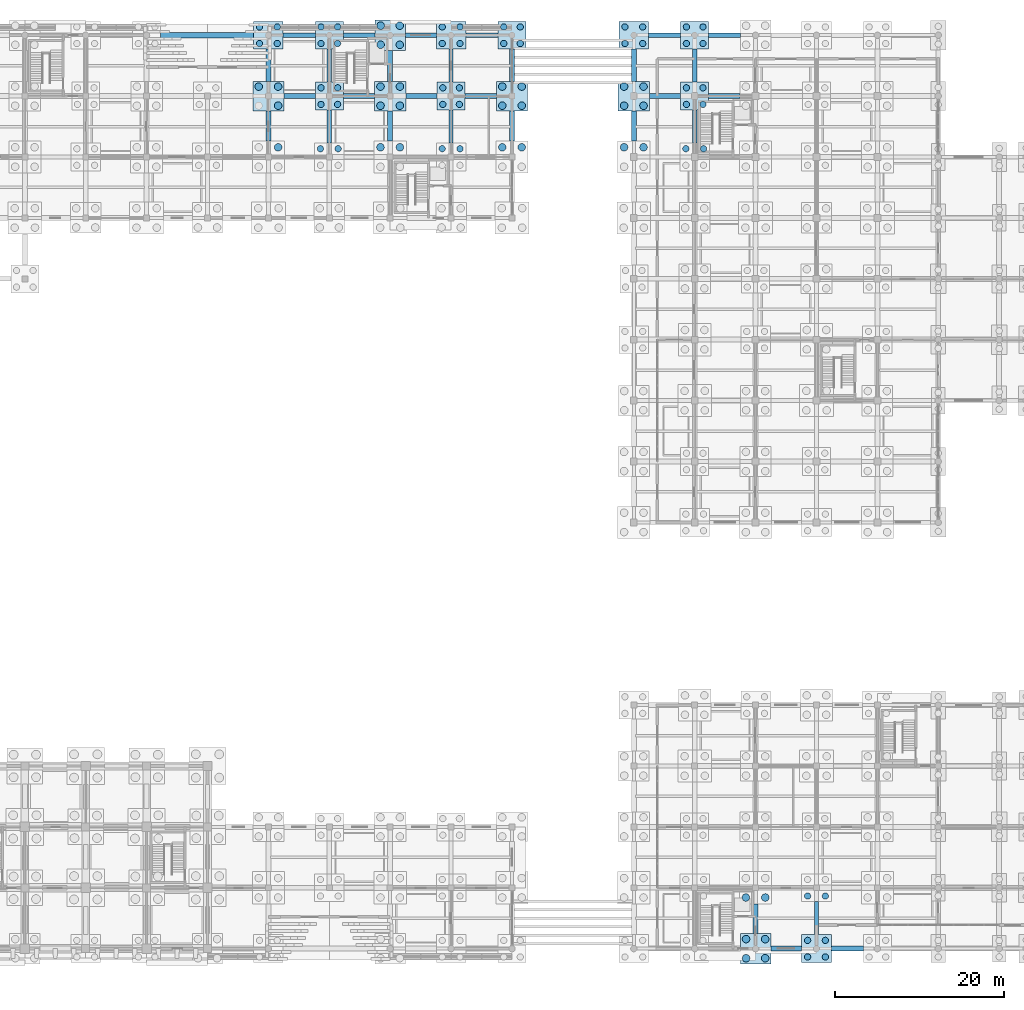
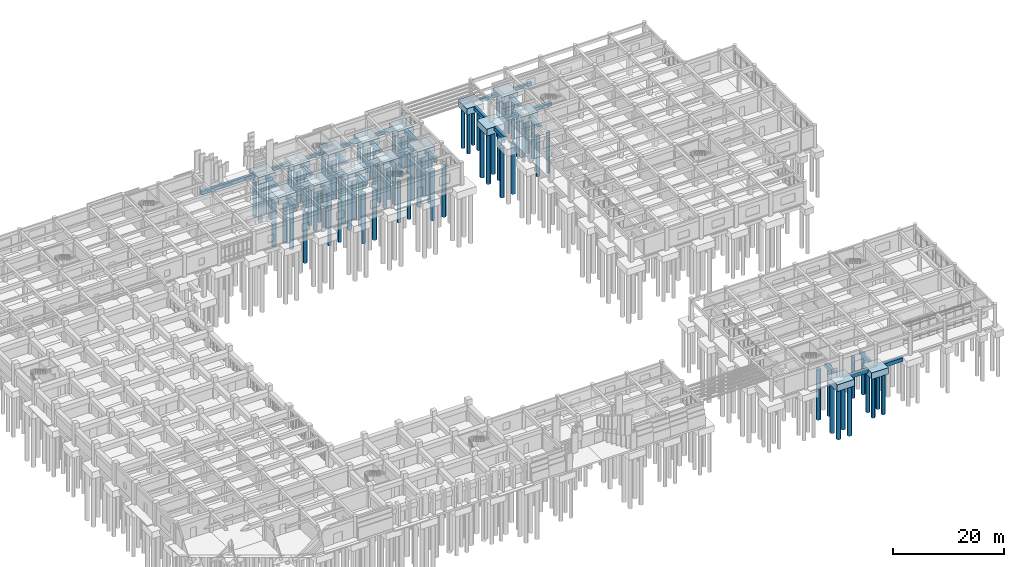
# One storey, part 11 of 79: 80 piles, 47 footings.
"""IFC4 building model written with IfcOpenShell, lengths in metres."""

from ifc_helpers import new_model, si_unit, direction, frame, origin, origin_2d, place, context, subcontext, project, spatial, polyline, rectangle, circle, outline, extrude, material, material_profile, profile_set, type_object, element, save


model = new_model("IFC4")

# Units and contexts
model_context = context("Model", 3, precision=1e-05, world=origin(), true_north=direction((0.0, 1.0)))
body_context = subcontext(model_context, "Body", "Model", "MODEL_VIEW")
ifc_project = project(units=[si_unit("LENGTHUNIT", "METRE"), si_unit("AREAUNIT", "SQUARE_METRE"), si_unit("VOLUMEUNIT", "CUBIC_METRE"), si_unit("PLANEANGLEUNIT", "RADIAN"), si_unit("MASSUNIT", "GRAM", prefix="KILO")], contexts=[model_context])

# Site, building, storey
site_placement = place(None, origin())
site = spatial("IfcSite", under=ifc_project, at=site_placement, CompositionType="ELEMENT")
building_placement = place(site_placement, origin())
building = spatial("IfcBuilding", under=site, at=building_placement, Name="Kavelor Marine Aquarium", CompositionType="ELEMENT")
storey_placement = place(building_placement, origin())
storey = spatial("IfcBuildingStorey", under=building, at=storey_placement, Name="L00", CompositionType="ELEMENT", Elevation=0.0)

# Footings
ifc_material_1 = material(Name="Concrete C40/50", Category="concrete")
footing_type_1 = type_object("IfcFootingType", Name="CAP-PC05", PredefinedType="PILE_CAP", material=ifc_material_1)
footing_1_placement = place(storey_placement, frame((0.0, 0.0, -1.85009765625)))
element("IfcFooting", 1, at=footing_1_placement, inside=storey, type_object=footing_type_1, Name="Pile Cap PC05 (11-O)", PredefinedType="PILE_CAP", context=body_context, shape_type="SweptSolid", body=[
    extrude(outline(polyline([(73.35009765625, 101.85009765625), (77.050048828125, 101.85009765625), (77.050048828125, 105.35009765625), (73.35009765625, 105.35009765625), (73.35009765625, 101.85009765625)])), origin(), (0.0, 0.0, 1.0), 1.5),
])
footing_2_placement = place(storey_placement, frame((0.0, 0.0, -1.85009765625)))
element("IfcFooting", 2, at=footing_2_placement, inside=storey, type_object=footing_type_1, Name="Pile Cap PC05 (13-O)", PredefinedType="PILE_CAP", context=body_context, shape_type="SweptSolid", body=[
    extrude(outline(polyline([(87.75, 101.85009765625), (91.449951171875, 101.85009765625), (91.449951171875, 105.35009765625), (87.75, 105.35009765625), (87.75, 101.85009765625)])), origin(), (0.0, 0.0, 1.0), 1.5),
])
footing_3_placement = place(storey_placement, frame((0.0, 0.0, -1.85009765625)))
element("IfcFooting", 3, at=footing_3_placement, inside=storey, type_object=footing_type_1, Name="Pile Cap PC05 (15-O)", PredefinedType="PILE_CAP", context=body_context, shape_type="SweptSolid", body=[
    extrude(outline(polyline([(102.14990234375, 101.85009765625), (105.85009765625, 101.85009765625), (105.85009765625, 105.35009765625), (102.14990234375, 105.35009765625), (102.14990234375, 101.85009765625)])), origin(), (0.0, 0.0, 1.0), 1.5),
])
footing_4_placement = place(storey_placement, frame((0.0, 0.0, -1.85009765625)))
element("IfcFooting", 4, at=footing_4_placement, inside=storey, type_object=footing_type_1, Name="Pile Cap PC05 (17-O)", PredefinedType="PILE_CAP", context=body_context, shape_type="SweptSolid", body=[
    extrude(outline(polyline([(116.550048828125, 101.85009765625), (120.25, 101.85009765625), (120.25, 105.35009765625), (116.550048828125, 105.35009765625), (116.550048828125, 101.85009765625)])), origin(), (0.0, 0.0, 1.0), 1.5),
])
ifc_material_2 = material(Name="Concrete C40/50", Category="concrete")
footing_type_2 = type_object("IfcFootingType", Name="CAP-PC06", PredefinedType="PILE_CAP", material=ifc_material_2)
footing_5_placement = place(storey_placement, frame((0.0, 0.0, -1.800048828125)))
element("IfcFooting", 5, at=footing_5_placement, inside=storey, type_object=footing_type_2, Name="Pile Cap PC06 (13-P)", PredefinedType="PILE_CAP", context=body_context, shape_type="SweptSolid", body=[
    extrude(outline(polyline([(87.800048828125, 109.0), (91.39990234375, 109.0), (91.39990234375, 112.60009765625), (87.800048828125, 112.60009765625), (87.800048828125, 109.0)])), origin(), (0.0, 0.0, 1.0), 1.449951171875),
])
footing_6_placement = place(storey_placement, frame((0.0, 0.0, -1.800048828125)))
element("IfcFooting", 6, at=footing_6_placement, inside=storey, type_object=footing_type_2, Name="Pile Cap PC06 (19-A)", PredefinedType="PILE_CAP", context=body_context, shape_type="SweptSolid", body=[
    extrude(outline(polyline([(131.0, 1.0), (134.60009765625, 1.0), (134.60009765625, 4.60009765625), (131.0, 4.60009765625), (131.0, 1.0)])), origin(), (0.0, 0.0, 1.0), 1.449951171875),
])
ifc_material_3 = material(Name="Concrete C40/50", Category="concrete")
footing_type_3 = type_object("IfcFootingType", Name="CAP-PC07", PredefinedType="PILE_CAP", material=ifc_material_3)
footing_7_placement = place(storey_placement, frame((0.0, 0.0, -1.75)))
element("IfcFooting", 7, at=footing_7_placement, inside=storey, type_object=footing_type_3, Name="Pile Cap PC07 (11-P)", PredefinedType="PILE_CAP", context=body_context, shape_type="SweptSolid", body=[
    extrude(outline(polyline([(73.449951171875, 109.14990234375), (76.949951171875, 109.14990234375), (76.949951171875, 112.449951171875), (73.449951171875, 112.449951171875), (73.449951171875, 109.14990234375)])), origin(), (0.0, 0.0, 1.0), 1.39990234375),
])
footing_8_placement = place(storey_placement, frame((0.0, 0.0, -1.75)))
element("IfcFooting", 8, at=footing_8_placement, inside=storey, type_object=footing_type_3, Name="Pile Cap PC07 (14-P)", PredefinedType="PILE_CAP", context=body_context, shape_type="SweptSolid", body=[
    extrude(outline(polyline([(95.050048828125, 109.14990234375), (98.550048828125, 109.14990234375), (98.550048828125, 112.449951171875), (95.050048828125, 112.449951171875), (95.050048828125, 109.14990234375)])), origin(), (0.0, 0.0, 1.0), 1.39990234375),
])
footing_9_placement = place(storey_placement, frame((0.0, 0.0, -1.75)))
element("IfcFooting", 9, at=footing_9_placement, inside=storey, type_object=footing_type_3, Name="Pile Cap PC07 (17-P)", PredefinedType="PILE_CAP", context=body_context, shape_type="SweptSolid", body=[
    extrude(outline(polyline([(116.64990234375, 109.14990234375), (120.14990234375, 109.14990234375), (120.14990234375, 112.449951171875), (116.64990234375, 112.449951171875), (116.64990234375, 109.14990234375)])), origin(), (0.0, 0.0, 1.0), 1.39990234375),
])
footing_10_placement = place(storey_placement, frame((0.0, 0.0, -1.75)))
element("IfcFooting", 10, at=footing_10_placement, inside=storey, type_object=footing_type_3, Name="Pile Cap PC07 (20-A)", PredefinedType="PILE_CAP", context=body_context, shape_type="SweptSolid", body=[
    extrude(outline(polyline([(138.25, 1.14990234375), (141.75, 1.14990234375), (141.75, 4.449951171875), (138.25, 4.449951171875), (138.25, 1.14990234375)])), origin(), (0.0, 0.0, 1.0), 1.39990234375),
])
ifc_material_4 = material(Name="Concrete C40/50", Category="concrete")
footing_type_4 = type_object("IfcFootingType", Name="CAP-PC08", PredefinedType="PILE_CAP", material=ifc_material_4)
footing_11_placement = place(storey_placement, frame((0.0, 0.0, -1.75)))
element("IfcFooting", 11, at=footing_11_placement, inside=storey, type_object=footing_type_4, Name="Pile Cap PC08 (12-O)", PredefinedType="PILE_CAP", context=body_context, shape_type="SweptSolid", body=[
    extrude(outline(polyline([(80.75, 101.949951171875), (84.050048828125, 101.949951171875), (84.050048828125, 105.25), (80.75, 105.25), (80.75, 101.949951171875)])), origin(), (0.0, 0.0, 1.0), 1.39990234375),
])
footing_12_placement = place(storey_placement, frame((0.0, 0.0, -1.75)))
element("IfcFooting", 12, at=footing_12_placement, inside=storey, type_object=footing_type_4, Name="Pile Cap PC08 (12-P)", PredefinedType="PILE_CAP", context=body_context, shape_type="SweptSolid", body=[
    extrude(outline(polyline([(80.75, 109.14990234375), (84.050048828125, 109.14990234375), (84.050048828125, 112.449951171875), (80.75, 112.449951171875), (80.75, 109.14990234375)])), origin(), (0.0, 0.0, 1.0), 1.39990234375),
])
footing_13_placement = place(storey_placement, frame((0.0, 0.0, -1.75)))
element("IfcFooting", 13, at=footing_13_placement, inside=storey, type_object=footing_type_4, Name="Pile Cap PC08 (14-O)", PredefinedType="PILE_CAP", context=body_context, shape_type="SweptSolid", body=[
    extrude(outline(polyline([(95.14990234375, 101.949951171875), (98.449951171875, 101.949951171875), (98.449951171875, 105.25), (95.14990234375, 105.25), (95.14990234375, 101.949951171875)])), origin(), (0.0, 0.0, 1.0), 1.39990234375),
])
footing_14_placement = place(storey_placement, frame((0.0, 0.0, -1.75)))
element("IfcFooting", 14, at=footing_14_placement, inside=storey, type_object=footing_type_4, Name="Pile Cap PC08 (15-P)", PredefinedType="PILE_CAP", context=body_context, shape_type="SweptSolid", body=[
    extrude(outline(polyline([(102.35009765625, 109.14990234375), (105.64990234375, 109.14990234375), (105.64990234375, 112.449951171875), (102.35009765625, 112.449951171875), (102.35009765625, 109.14990234375)])), origin(), (0.0, 0.0, 1.0), 1.39990234375),
])
footing_15_placement = place(storey_placement, frame((0.0, 0.0, -1.75)))
element("IfcFooting", 15, at=footing_15_placement, inside=storey, type_object=footing_type_4, Name="Pile Cap PC08 (18-O)", PredefinedType="PILE_CAP", context=body_context, shape_type="SweptSolid", body=[
    extrude(outline(polyline([(123.949951171875, 101.949951171875), (127.25, 101.949951171875), (127.25, 105.25), (123.949951171875, 105.25), (123.949951171875, 101.949951171875)])), origin(), (0.0, 0.0, 1.0), 1.39990234375),
])
footing_16_placement = place(storey_placement, frame((0.0, 0.0, -1.75)))
element("IfcFooting", 16, at=footing_16_placement, inside=storey, type_object=footing_type_4, Name="Pile Cap PC08 (18-P)", PredefinedType="PILE_CAP", context=body_context, shape_type="SweptSolid", body=[
    extrude(outline(polyline([(123.949951171875, 109.14990234375), (127.25, 109.14990234375), (127.25, 112.449951171875), (123.949951171875, 112.449951171875), (123.949951171875, 109.14990234375)])), origin(), (0.0, 0.0, 1.0), 1.39990234375),
])
ifc_material_5 = material(Name="Concrete C40/50", Category="concrete")
ifc_material_profile_1 = material_profile(ifc_material_5, rectangle(XDim=0.60009765625, YDim=0.800048828125, at=origin_2d()), Name="GB 600x800")
ifc_profile_set_1 = profile_set([ifc_material_profile_1], Name="Concrete C40/50")
footing_type_5 = type_object("IfcFootingType", Name="FTB-GB1", PredefinedType="FOOTING_BEAM", material=ifc_profile_set_1)
footing_17_placement = place(storey_placement, frame((62.449951171875, 110.800048828125, -0.75), z_axis=(1.0, 0.0, 0.0), x_axis=(0.0, 1.0, 0.0)))
element("IfcFooting", 17, at=footing_17_placement, inside=storey, type_object=footing_type_5, Name="ftb:x:08_15", PredefinedType="FOOTING_BEAM", context=body_context, shape_type="SweptSolid", body=[
    extrude(rectangle(XDim=0.60009765625, YDim=0.800048828125, at=origin_2d()), origin(), (0.0, 0.0, 1.0), 11.0),
])
footing_18_placement = place(storey_placement, frame((75.199951171875, 98.300048828125, -0.75), z_axis=(0.0, 1.0, 0.0), x_axis=(-1.0, 0.0, 0.0)))
element("IfcFooting", 18, at=footing_18_placement, inside=storey, type_object=footing_type_5, Name="ftb:y:10_13", PredefinedType="FOOTING_BEAM", context=body_context, shape_type="SweptSolid", body=[
    extrude(rectangle(XDim=0.60009765625, YDim=0.800048828125, at=origin_2d()), origin(), (0.0, 0.0, 1.0), 3.550048828125),
])
footing_19_placement = place(storey_placement, frame((77.050048828125, 103.60009765625, -0.75), z_axis=(1.0, 0.0, 0.0), x_axis=(0.0, 1.0, 0.0)))
element("IfcFooting", 19, at=footing_19_placement, inside=storey, type_object=footing_type_5, Name="ftb:x:10_14", PredefinedType="FOOTING_BEAM", context=body_context, shape_type="SweptSolid", body=[
    extrude(rectangle(XDim=0.60009765625, YDim=0.800048828125, at=origin_2d()), origin(), (0.0, 0.0, 1.0), 3.699951171875),
])
footing_20_placement = place(storey_placement, frame((75.199951171875, 105.35009765625, -0.75), z_axis=(0.0, 1.0, 0.0), x_axis=(-1.0, 0.0, 0.0)))
element("IfcFooting", 20, at=footing_20_placement, inside=storey, type_object=footing_type_5, Name="ftb:y:10_14", PredefinedType="FOOTING_BEAM", context=body_context, shape_type="SweptSolid", body=[
    extrude(rectangle(XDim=0.60009765625, YDim=0.800048828125, at=origin_2d()), origin(), (0.0, 0.0, 1.0), 3.7998046875),
])
footing_21_placement = place(storey_placement, frame((84.050048828125, 103.60009765625, -0.75), z_axis=(1.0, 0.0, 0.0), x_axis=(0.0, 1.0, 0.0)))
element("IfcFooting", 21, at=footing_21_placement, inside=storey, type_object=footing_type_5, Name="ftb:x:11_14", PredefinedType="FOOTING_BEAM", context=body_context, shape_type="SweptSolid", body=[
    extrude(rectangle(XDim=0.60009765625, YDim=0.800048828125, at=origin_2d()), origin(), (0.0, 0.0, 1.0), 3.699951171875),
])
footing_22_placement = place(storey_placement, frame((89.60009765625, 98.300048828125, -0.75), z_axis=(0.0, 1.0, 0.0), x_axis=(-1.0, 0.0, 0.0)))
element("IfcFooting", 22, at=footing_22_placement, inside=storey, type_object=footing_type_5, Name="ftb:y:12_13", PredefinedType="FOOTING_BEAM", context=body_context, shape_type="SweptSolid", body=[
    extrude(rectangle(XDim=0.60009765625, YDim=0.800048828125, at=origin_2d()), origin(), (0.0, 0.0, 1.0), 3.550048828125),
])
footing_23_placement = place(storey_placement, frame((91.449951171875, 103.60009765625, -0.75), z_axis=(1.0, 0.0, 0.0), x_axis=(0.0, 1.0, 0.0)))
element("IfcFooting", 23, at=footing_23_placement, inside=storey, type_object=footing_type_5, Name="ftb:x:12_14", PredefinedType="FOOTING_BEAM", context=body_context, shape_type="SweptSolid", body=[
    extrude(rectangle(XDim=0.60009765625, YDim=0.800048828125, at=origin_2d()), origin(), (0.0, 0.0, 1.0), 3.699951171875),
])
footing_24_placement = place(storey_placement, frame((89.60009765625, 105.35009765625, -0.75), z_axis=(0.0, 1.0, 0.0), x_axis=(-1.0, 0.0, 0.0)))
element("IfcFooting", 24, at=footing_24_placement, inside=storey, type_object=footing_type_5, Name="ftb:y:12_14", PredefinedType="FOOTING_BEAM", context=body_context, shape_type="SweptSolid", body=[
    extrude(rectangle(XDim=0.60009765625, YDim=0.800048828125, at=origin_2d()), origin(), (0.0, 0.0, 1.0), 3.64990234375),
])
footing_25_placement = place(storey_placement, frame((98.449951171875, 103.60009765625, -0.75), z_axis=(1.0, 0.0, 0.0), x_axis=(0.0, 1.0, 0.0)))
element("IfcFooting", 25, at=footing_25_placement, inside=storey, type_object=footing_type_5, Name="ftb:x:13_14", PredefinedType="FOOTING_BEAM", context=body_context, shape_type="SweptSolid", body=[
    extrude(rectangle(XDim=0.60009765625, YDim=0.800048828125, at=origin_2d()), origin(), (0.0, 0.0, 1.0), 3.699951171875),
])
footing_26_placement = place(storey_placement, frame((104.0, 98.300048828125, -0.75), z_axis=(0.0, 1.0, 0.0), x_axis=(-1.0, 0.0, 0.0)))
element("IfcFooting", 26, at=footing_26_placement, inside=storey, type_object=footing_type_5, Name="ftb:y:14_13", PredefinedType="FOOTING_BEAM", context=body_context, shape_type="SweptSolid", body=[
    extrude(rectangle(XDim=0.60009765625, YDim=0.800048828125, at=origin_2d()), origin(), (0.0, 0.0, 1.0), 3.550048828125),
])
footing_27_placement = place(storey_placement, frame((104.0, 105.35009765625, -0.75), z_axis=(0.0, 1.0, 0.0), x_axis=(-1.0, 0.0, 0.0)))
element("IfcFooting", 27, at=footing_27_placement, inside=storey, type_object=footing_type_5, Name="ftb:y:14_14", PredefinedType="FOOTING_BEAM", context=body_context, shape_type="SweptSolid", body=[
    extrude(rectangle(XDim=0.60009765625, YDim=0.800048828125, at=origin_2d()), origin(), (0.0, 0.0, 1.0), 3.7998046875),
])
footing_28_placement = place(storey_placement, frame((118.39990234375, 98.300048828125, -0.75), z_axis=(0.0, 1.0, 0.0), x_axis=(-1.0, 0.0, 0.0)))
element("IfcFooting", 28, at=footing_28_placement, inside=storey, type_object=footing_type_5, Name="ftb:y:16_13", PredefinedType="FOOTING_BEAM", context=body_context, shape_type="SweptSolid", body=[
    extrude(rectangle(XDim=0.60009765625, YDim=0.800048828125, at=origin_2d()), origin(), (0.0, 0.0, 1.0), 3.550048828125),
])
footing_29_placement = place(storey_placement, frame((120.25, 103.60009765625, -0.75), z_axis=(1.0, 0.0, 0.0), x_axis=(0.0, 1.0, 0.0)))
element("IfcFooting", 29, at=footing_29_placement, inside=storey, type_object=footing_type_5, Name="ftb:x:16_14", PredefinedType="FOOTING_BEAM", context=body_context, shape_type="SweptSolid", body=[
    extrude(rectangle(XDim=0.60009765625, YDim=0.800048828125, at=origin_2d()), origin(), (0.0, 0.0, 1.0), 3.699951171875),
])
footing_30_placement = place(storey_placement, frame((118.39990234375, 105.35009765625, -0.75), z_axis=(0.0, 1.0, 0.0), x_axis=(-1.0, 0.0, 0.0)))
element("IfcFooting", 30, at=footing_30_placement, inside=storey, type_object=footing_type_5, Name="ftb:y:16_14", PredefinedType="FOOTING_BEAM", context=body_context, shape_type="SweptSolid", body=[
    extrude(rectangle(XDim=0.60009765625, YDim=0.800048828125, at=origin_2d()), origin(), (0.0, 0.0, 1.0), 3.7998046875),
])
footing_31_placement = place(storey_placement, frame((127.25, 103.60009765625, -0.75), z_axis=(1.0, 0.0, 0.0), x_axis=(0.0, 1.0, 0.0)))
element("IfcFooting", 31, at=footing_31_placement, inside=storey, type_object=footing_type_5, Name="ftb:x:17_14", PredefinedType="FOOTING_BEAM", context=body_context, shape_type="SweptSolid", body=[
    extrude(rectangle(XDim=0.60009765625, YDim=0.800048828125, at=origin_2d()), origin(), (0.0, 0.0, 1.0), 3.699951171875),
])
footing_32_placement = place(storey_placement, frame((134.60009765625, 2.800048828125, -0.75), z_axis=(1.0, 0.0, 0.0), x_axis=(0.0, 1.0, 0.0)))
element("IfcFooting", 32, at=footing_32_placement, inside=storey, type_object=footing_type_5, Name="ftb:x:18_00", PredefinedType="FOOTING_BEAM", context=body_context, shape_type="SweptSolid", body=[
    extrude(rectangle(XDim=0.60009765625, YDim=0.800048828125, at=origin_2d()), origin(), (0.0, 0.0, 1.0), 3.64990234375),
])
footing_33_placement = place(storey_placement, frame((132.800048828125, 4.60009765625, -0.75), z_axis=(0.0, 1.0, 0.0), x_axis=(-1.0, 0.0, 0.0)))
element("IfcFooting", 33, at=footing_33_placement, inside=storey, type_object=footing_type_5, Name="ftb:y:18_00", PredefinedType="FOOTING_BEAM", context=body_context, shape_type="SweptSolid", body=[
    extrude(rectangle(XDim=0.60009765625, YDim=0.800048828125, at=origin_2d()), origin(), (0.0, 0.0, 1.0), 3.5),
])
footing_34_placement = place(storey_placement, frame((141.75, 2.800048828125, -0.75), z_axis=(1.0, 0.0, 0.0), x_axis=(0.0, 1.0, 0.0)))
element("IfcFooting", 34, at=footing_34_placement, inside=storey, type_object=footing_type_5, Name="ftb:x:19_00", PredefinedType="FOOTING_BEAM", context=body_context, shape_type="SweptSolid", body=[
    extrude(rectangle(XDim=0.60009765625, YDim=0.800048828125, at=origin_2d()), origin(), (0.0, 0.0, 1.0), 3.800048828125),
])
ifc_material_6 = material(Name="Concrete C40/50", Category="concrete")
ifc_material_profile_2 = material_profile(ifc_material_6, rectangle(XDim=0.5, YDim=0.699951171875, at=origin_2d()), Name="GB 500x700")
ifc_profile_set_2 = profile_set([ifc_material_profile_2], Name="Concrete C40/50")
footing_type_6 = type_object("IfcFootingType", Name="FTB-GB2", PredefinedType="FOOTING_BEAM", material=ifc_profile_set_2)
footing_35_placement = place(storey_placement, frame((76.949951171875, 110.800048828125, -0.699951171875), z_axis=(1.0, 0.0, 0.0), x_axis=(0.0, 1.0, 0.0)))
element("IfcFooting", 35, at=footing_35_placement, inside=storey, type_object=footing_type_6, Name="ftb:x:10_15", PredefinedType="FOOTING_BEAM", context=body_context, shape_type="SweptSolid", body=[
    extrude(rectangle(XDim=0.5, YDim=0.699951171875, at=origin_2d()), origin(), (0.0, 0.0, 1.0), 3.800048828125),
])
for number, where, z_axis, x_axis, name in (
    (36, (82.39990234375, 98.050048828125, -0.699951171875), (0.0, 1.0, 0.0), (-1.0, 0.0, 0.0), "ftb:y:11_13"),
    (37, (82.39990234375, 105.25, -0.699951171875), (0.0, 1.0, 0.0), (-1.0, 0.0, 0.0), "ftb:y:11_14"),
):
    element("IfcFooting", number, at=place(storey_placement, frame(where, z_axis=z_axis, x_axis=x_axis)), inside=storey, type_object=footing_type_6, Name=name, PredefinedType="FOOTING_BEAM", context=body_context, shape_type="SweptSolid", body=[
        extrude(rectangle(XDim=0.5, YDim=0.699951171875, at=origin_2d()), origin(), (0.0, 0.0, 1.0), 3.89990234375),
    ])
footing_36_placement = place(storey_placement, frame((84.050048828125, 110.800048828125, -0.699951171875), z_axis=(1.0, 0.0, 0.0), x_axis=(0.0, 1.0, 0.0)))
element("IfcFooting", 38, at=footing_36_placement, inside=storey, type_object=footing_type_6, Name="ftb:x:11_15", PredefinedType="FOOTING_BEAM", context=body_context, shape_type="SweptSolid", body=[
    extrude(rectangle(XDim=0.5, YDim=0.699951171875, at=origin_2d()), origin(), (0.0, 0.0, 1.0), 3.75),
])
footing_37_placement = place(storey_placement, frame((91.39990234375, 110.800048828125, -0.699951171875), z_axis=(1.0, 0.0, 0.0), x_axis=(0.0, 1.0, 0.0)))
element("IfcFooting", 39, at=footing_37_placement, inside=storey, type_object=footing_type_6, Name="ftb:x:12_15", PredefinedType="FOOTING_BEAM", context=body_context, shape_type="SweptSolid", body=[
    extrude(rectangle(XDim=0.5, YDim=0.699951171875, at=origin_2d()), origin(), (0.0, 0.0, 1.0), 3.650146484375),
])
for number, where, z_axis, x_axis, name in (
    (40, (96.800048828125, 98.050048828125, -0.699951171875), (0.0, 1.0, 0.0), (-1.0, 0.0, 0.0), "ftb:y:13_13"),
    (41, (96.800048828125, 105.25, -0.699951171875), (0.0, 1.0, 0.0), (-1.0, 0.0, 0.0), "ftb:y:13_14"),
):
    element("IfcFooting", number, at=place(storey_placement, frame(where, z_axis=z_axis, x_axis=x_axis)), inside=storey, type_object=footing_type_6, Name=name, PredefinedType="FOOTING_BEAM", context=body_context, shape_type="SweptSolid", body=[
        extrude(rectangle(XDim=0.5, YDim=0.699951171875, at=origin_2d()), origin(), (0.0, 0.0, 1.0), 3.89990234375),
    ])
for number, where, z_axis, x_axis, name in (
    (42, (98.550048828125, 110.800048828125, -0.699951171875), (1.0, 0.0, 0.0), (0.0, 1.0, 0.0), "ftb:x:13_15"),
    (43, (120.14990234375, 110.800048828125, -0.699951171875), (1.0, 0.0, 0.0), (0.0, 1.0, 0.0), "ftb:x:16_15"),
):
    element("IfcFooting", number, at=place(storey_placement, frame(where, z_axis=z_axis, x_axis=x_axis)), inside=storey, type_object=footing_type_6, Name=name, PredefinedType="FOOTING_BEAM", context=body_context, shape_type="SweptSolid", body=[
        extrude(rectangle(XDim=0.5, YDim=0.699951171875, at=origin_2d()), origin(), (0.0, 0.0, 1.0), 3.800048828125),
    ])
for number, where, z_axis, x_axis, name in (
    (44, (125.60009765625, 98.050048828125, -0.699951171875), (0.0, 1.0, 0.0), (-1.0, 0.0, 0.0), "ftb:y:17_13"),
    (45, (125.60009765625, 105.25, -0.699951171875), (0.0, 1.0, 0.0), (-1.0, 0.0, 0.0), "ftb:y:17_14"),
):
    element("IfcFooting", number, at=place(storey_placement, frame(where, z_axis=z_axis, x_axis=x_axis)), inside=storey, type_object=footing_type_6, Name=name, PredefinedType="FOOTING_BEAM", context=body_context, shape_type="SweptSolid", body=[
        extrude(rectangle(XDim=0.5, YDim=0.699951171875, at=origin_2d()), origin(), (0.0, 0.0, 1.0), 3.89990234375),
    ])
footing_38_placement = place(storey_placement, frame((127.25, 110.800048828125, -0.699951171875), z_axis=(1.0, 0.0, 0.0), x_axis=(0.0, 1.0, 0.0)))
element("IfcFooting", 46, at=footing_38_placement, inside=storey, type_object=footing_type_6, Name="ftb:x:17_15", PredefinedType="FOOTING_BEAM", context=body_context, shape_type="SweptSolid", body=[
    extrude(rectangle(XDim=0.5, YDim=0.699951171875, at=origin_2d()), origin(), (0.0, 0.0, 1.0), 3.75),
])
footing_39_placement = place(storey_placement, frame((140.0, 4.449951171875, -0.699951171875), z_axis=(0.0, 1.0, 0.0), x_axis=(-1.0, 0.0, 0.0)))
element("IfcFooting", 47, at=footing_39_placement, inside=storey, type_object=footing_type_6, Name="ftb:y:19_00", PredefinedType="FOOTING_BEAM", context=body_context, shape_type="SweptSolid", body=[
    extrude(rectangle(XDim=0.5, YDim=0.699951171875, at=origin_2d()), origin(), (0.0, 0.0, 1.0), 3.900146484375),
])

# Piles
ifc_material_7 = material(Name="Concrete C40/50", Category="concrete")
ifc_material_profile_3 = material_profile(ifc_material_7, circle(Radius=0.449951171875, at=origin_2d()), Name="PILE D900")
ifc_profile_set_3 = profile_set([ifc_material_profile_3], Name="Concrete C40/50")
pile_type_1 = type_object("IfcPileType", Name="PILE-P2", PredefinedType="BORED", material=ifc_profile_set_3)
for number, where, z_axis, x_axis, name in (
    (48, (76.35009765625, 97.550048828125, -1.75), (0.0, 0.0, -1.0), (1.0, 0.0, 0.0), "Bored Pile P2 (11-N-4)"),
    (49, (76.35009765625, 102.469970703125, -1.75), (0.0, 0.0, -1.0), (1.0, 0.0, 0.0), "Bored Pile P2 (11-O-2)"),
    (50, (74.050048828125, 104.72998046875, -1.75), (0.0, 0.0, -1.0), (1.0, 0.0, 0.0), "Bored Pile P2 (11-O-3)"),
    (51, (76.35009765625, 104.72998046875, -1.75), (0.0, 0.0, -1.0), (1.0, 0.0, 0.0), "Bored Pile P2 (11-O-4)"),
    (52, (88.449951171875, 97.550048828125, -1.75), (0.0, 0.0, -1.0), (1.0, 0.0, 0.0), "Bored Pile P2 (13-N-3)"),
    (53, (90.75, 97.550048828125, -1.75), (0.0, 0.0, -1.0), (1.0, 0.0, 0.0), "Bored Pile P2 (13-N-4)"),
    (54, (88.449951171875, 102.469970703125, -1.75), (0.0, 0.0, -1.0), (1.0, 0.0, 0.0), "Bored Pile P2 (13-O-1)"),
    (55, (90.75, 102.469970703125, -1.75), (0.0, 0.0, -1.0), (1.0, 0.0, 0.0), "Bored Pile P2 (13-O-2)"),
    (56, (88.449951171875, 104.72998046875, -1.75), (0.0, 0.0, -1.0), (1.0, 0.0, 0.0), "Bored Pile P2 (13-O-3)"),
    (57, (90.75, 104.72998046875, -1.75), (0.0, 0.0, -1.0), (1.0, 0.0, 0.0), "Bored Pile P2 (13-O-4)"),
    (58, (88.469970703125, 109.669921875, -1.699951171875), (0.0, 0.0, -1.0), (1.0, 0.0, 0.0), "Bored Pile P2 (13-P-1)"),
    (59, (90.72998046875, 109.669921875, -1.699951171875), (0.0, 0.0, -1.0), (1.0, 0.0, 0.0), "Bored Pile P2 (13-P-2)"),
    (60, (88.469970703125, 111.929931640625, -1.699951171875), (0.0, 0.0, -1.0), (1.0, 0.0, 0.0), "Bored Pile P2 (13-P-3)"),
    (61, (90.72998046875, 111.929931640625, -1.699951171875), (0.0, 0.0, -1.0), (1.0, 0.0, 0.0), "Bored Pile P2 (13-P-4)"),
    (62, (102.85009765625, 97.550048828125, -1.75), (0.0, 0.0, -1.0), (1.0, 0.0, 0.0), "Bored Pile P2 (15-N-3)"),
    (63, (105.14990234375, 97.550048828125, -1.75), (0.0, 0.0, -1.0), (1.0, 0.0, 0.0), "Bored Pile P2 (15-N-4)"),
    (64, (102.85009765625, 102.469970703125, -1.75), (0.0, 0.0, -1.0), (1.0, 0.0, 0.0), "Bored Pile P2 (15-O-1)"),
    (65, (105.14990234375, 102.469970703125, -1.75), (0.0, 0.0, -1.0), (1.0, 0.0, 0.0), "Bored Pile P2 (15-O-2)"),
    (66, (102.85009765625, 104.72998046875, -1.75), (0.0, 0.0, -1.0), (1.0, 0.0, 0.0), "Bored Pile P2 (15-O-3)"),
    (67, (105.14990234375, 104.72998046875, -1.75), (0.0, 0.0, -1.0), (1.0, 0.0, 0.0), "Bored Pile P2 (15-O-4)"),
    (68, (117.25, 97.550048828125, -1.75), (0.0, 0.0, -1.0), (1.0, 0.0, 0.0), "Bored Pile P2 (17-N-3)"),
    (69, (119.550048828125, 97.550048828125, -1.75), (0.0, 0.0, -1.0), (1.0, 0.0, 0.0), "Bored Pile P2 (17-N-4)"),
    (70, (117.25, 102.469970703125, -1.75), (0.0, 0.0, -1.0), (1.0, 0.0, 0.0), "Bored Pile P2 (17-O-1)"),
    (71, (119.550048828125, 102.469970703125, -1.75), (0.0, 0.0, -1.0), (1.0, 0.0, 0.0), "Bored Pile P2 (17-O-2)"),
    (72, (117.25, 104.72998046875, -1.75), (0.0, 0.0, -1.0), (1.0, 0.0, 0.0), "Bored Pile P2 (17-O-3)"),
    (73, (119.550048828125, 104.72998046875, -1.75), (0.0, 0.0, -1.0), (1.0, 0.0, 0.0), "Bored Pile P2 (17-O-4)"),
    (74, (131.669921875, 1.669921875, -1.699951171875), (0.0, 0.0, -1.0), (1.0, 0.0, 0.0), "Bored Pile P2 (19-A-1)"),
    (75, (133.929931640625, 1.669921875, -1.699951171875), (0.0, 0.0, -1.0), (1.0, 0.0, 0.0), "Bored Pile P2 (19-A-2)"),
    (76, (131.669921875, 3.929931640625, -1.699951171875), (0.0, 0.0, -1.0), (1.0, 0.0, 0.0), "Bored Pile P2 (19-A-3)"),
    (77, (133.929931640625, 3.929931640625, -1.699951171875), (0.0, 0.0, -1.0), (1.0, 0.0, 0.0), "Bored Pile P2 (19-A-4)"),
    (78, (131.64990234375, 8.85009765625, -1.75), (0.0, 0.0, -1.0), (1.0, 0.0, 0.0), "Bored Pile P2 (19-B-1)"),
    (79, (133.949951171875, 8.85009765625, -1.75), (0.0, 0.0, -1.0), (1.0, 0.0, 0.0), "Bored Pile P2 (19-B-2)"),
):
    element("IfcPile", number, at=place(storey_placement, frame(where, z_axis=z_axis, x_axis=x_axis)), inside=storey, type_object=pile_type_1, Name=name, PredefinedType="BORED", context=body_context, shape_type="SweptSolid", body=[
        extrude(circle(Radius=0.449951171875, at=origin_2d()), origin(), (0.0, 0.0, 1.0), 11.0),
    ])
ifc_material_8 = material(Name="Concrete C40/50", Category="concrete")
ifc_material_profile_4 = material_profile(ifc_material_8, circle(Radius=0.375, at=origin_2d()), Name="PILE D750")
ifc_profile_set_4 = profile_set([ifc_material_profile_4], Name="Concrete C40/50")
pile_type_2 = type_object("IfcPileType", Name="PILE-P3", PredefinedType="BORED", material=ifc_profile_set_4)
for number, where, z_axis, x_axis, name in (
    (80, (74.14990234375, 109.820068359375, -1.64990234375), (0.0, 0.0, -1.0), (1.0, 0.0, 0.0), "Bored Pile P3 (11-P-1)"),
    (81, (76.25, 109.820068359375, -1.64990234375), (0.0, 0.0, -1.0), (1.0, 0.0, 0.0), "Bored Pile P3 (11-P-2)"),
    (82, (74.14990234375, 111.780029296875, -1.64990234375), (0.0, 0.0, -1.0), (1.0, 0.0, 0.0), "Bored Pile P3 (11-P-3)"),
    (83, (76.25, 111.780029296875, -1.64990234375), (0.0, 0.0, -1.0), (1.0, 0.0, 0.0), "Bored Pile P3 (11-P-4)"),
    (84, (81.35009765625, 97.3798828125, -1.64990234375), (0.0, 0.0, -1.0), (1.0, 0.0, 0.0), "Bored Pile P3 (12-N-3)"),
    (85, (83.449951171875, 97.3798828125, -1.64990234375), (0.0, 0.0, -1.0), (1.0, 0.0, 0.0), "Bored Pile P3 (12-N-4)"),
    (86, (81.419921875, 102.6201171875, -1.64990234375), (0.0, 0.0, -1.0), (1.0, 0.0, 0.0), "Bored Pile P3 (12-O-1)"),
    (87, (83.3798828125, 102.6201171875, -1.64990234375), (0.0, 0.0, -1.0), (1.0, 0.0, 0.0), "Bored Pile P3 (12-O-2)"),
    (88, (81.419921875, 104.580078125, -1.64990234375), (0.0, 0.0, -1.0), (1.0, 0.0, 0.0), "Bored Pile P3 (12-O-3)"),
    (89, (83.3798828125, 104.580078125, -1.64990234375), (0.0, 0.0, -1.0), (1.0, 0.0, 0.0), "Bored Pile P3 (12-O-4)"),
    (90, (81.419921875, 109.820068359375, -1.64990234375), (0.0, 0.0, -1.0), (1.0, 0.0, 0.0), "Bored Pile P3 (12-P-1)"),
    (91, (83.3798828125, 109.820068359375, -1.64990234375), (0.0, 0.0, -1.0), (1.0, 0.0, 0.0), "Bored Pile P3 (12-P-2)"),
    (92, (81.419921875, 111.780029296875, -1.64990234375), (0.0, 0.0, -1.0), (1.0, 0.0, 0.0), "Bored Pile P3 (12-P-3)"),
    (93, (83.3798828125, 111.780029296875, -1.64990234375), (0.0, 0.0, -1.0), (1.0, 0.0, 0.0), "Bored Pile P3 (12-P-4)"),
    (94, (95.75, 97.3798828125, -1.64990234375), (0.0, 0.0, -1.0), (1.0, 0.0, 0.0), "Bored Pile P3 (14-N-3)"),
    (95, (97.85009765625, 97.3798828125, -1.64990234375), (0.0, 0.0, -1.0), (1.0, 0.0, 0.0), "Bored Pile P3 (14-N-4)"),
    (96, (95.820068359375, 102.6201171875, -1.64990234375), (0.0, 0.0, -1.0), (1.0, 0.0, 0.0), "Bored Pile P3 (14-O-1)"),
    (97, (97.780029296875, 102.6201171875, -1.64990234375), (0.0, 0.0, -1.0), (1.0, 0.0, 0.0), "Bored Pile P3 (14-O-2)"),
    (98, (95.820068359375, 104.580078125, -1.64990234375), (0.0, 0.0, -1.0), (1.0, 0.0, 0.0), "Bored Pile P3 (14-O-3)"),
    (99, (97.780029296875, 104.580078125, -1.64990234375), (0.0, 0.0, -1.0), (1.0, 0.0, 0.0), "Bored Pile P3 (14-O-4)"),
    (100, (95.75, 109.820068359375, -1.64990234375), (0.0, 0.0, -1.0), (1.0, 0.0, 0.0), "Bored Pile P3 (14-P-1)"),
    (101, (97.85009765625, 109.820068359375, -1.64990234375), (0.0, 0.0, -1.0), (1.0, 0.0, 0.0), "Bored Pile P3 (14-P-2)"),
    (102, (95.75, 111.780029296875, -1.64990234375), (0.0, 0.0, -1.0), (1.0, 0.0, 0.0), "Bored Pile P3 (14-P-3)"),
    (103, (97.85009765625, 111.780029296875, -1.64990234375), (0.0, 0.0, -1.0), (1.0, 0.0, 0.0), "Bored Pile P3 (14-P-4)"),
    (104, (103.02001953125, 109.820068359375, -1.64990234375), (0.0, 0.0, -1.0), (1.0, 0.0, 0.0), "Bored Pile P3 (15-P-1)"),
    (105, (104.97998046875, 109.820068359375, -1.64990234375), (0.0, 0.0, -1.0), (1.0, 0.0, 0.0), "Bored Pile P3 (15-P-2)"),
    (106, (103.02001953125, 111.780029296875, -1.64990234375), (0.0, 0.0, -1.0), (1.0, 0.0, 0.0), "Bored Pile P3 (15-P-3)"),
    (107, (104.97998046875, 111.780029296875, -1.64990234375), (0.0, 0.0, -1.0), (1.0, 0.0, 0.0), "Bored Pile P3 (15-P-4)"),
    (108, (117.35009765625, 109.820068359375, -1.64990234375), (0.0, 0.0, -1.0), (1.0, 0.0, 0.0), "Bored Pile P3 (17-P-1)"),
    (109, (119.449951171875, 109.820068359375, -1.64990234375), (0.0, 0.0, -1.0), (1.0, 0.0, 0.0), "Bored Pile P3 (17-P-2)"),
    (110, (117.35009765625, 111.780029296875, -1.64990234375), (0.0, 0.0, -1.0), (1.0, 0.0, 0.0), "Bored Pile P3 (17-P-3)"),
    (111, (119.449951171875, 111.780029296875, -1.64990234375), (0.0, 0.0, -1.0), (1.0, 0.0, 0.0), "Bored Pile P3 (17-P-4)"),
    (112, (124.550048828125, 97.3798828125, -1.64990234375), (0.0, 0.0, -1.0), (1.0, 0.0, 0.0), "Bored Pile P3 (18-N-3)"),
    (113, (126.64990234375, 97.3798828125, -1.64990234375), (0.0, 0.0, -1.0), (1.0, 0.0, 0.0), "Bored Pile P3 (18-N-4)"),
    (114, (124.6201171875, 102.6201171875, -1.64990234375), (0.0, 0.0, -1.0), (1.0, 0.0, 0.0), "Bored Pile P3 (18-O-1)"),
    (115, (126.580078125, 102.6201171875, -1.64990234375), (0.0, 0.0, -1.0), (1.0, 0.0, 0.0), "Bored Pile P3 (18-O-2)"),
    (116, (124.6201171875, 104.580078125, -1.64990234375), (0.0, 0.0, -1.0), (1.0, 0.0, 0.0), "Bored Pile P3 (18-O-3)"),
    (117, (126.580078125, 104.580078125, -1.64990234375), (0.0, 0.0, -1.0), (1.0, 0.0, 0.0), "Bored Pile P3 (18-O-4)"),
    (118, (124.6201171875, 109.820068359375, -1.64990234375), (0.0, 0.0, -1.0), (1.0, 0.0, 0.0), "Bored Pile P3 (18-P-1)"),
    (119, (126.580078125, 109.820068359375, -1.64990234375), (0.0, 0.0, -1.0), (1.0, 0.0, 0.0), "Bored Pile P3 (18-P-2)"),
    (120, (124.6201171875, 111.780029296875, -1.64990234375), (0.0, 0.0, -1.0), (1.0, 0.0, 0.0), "Bored Pile P3 (18-P-3)"),
    (121, (126.580078125, 111.780029296875, -1.64990234375), (0.0, 0.0, -1.0), (1.0, 0.0, 0.0), "Bored Pile P3 (18-P-4)"),
    (122, (138.949951171875, 1.820068359375, -1.64990234375), (0.0, 0.0, -1.0), (1.0, 0.0, 0.0), "Bored Pile P3 (20-A-1)"),
    (123, (141.050048828125, 1.820068359375, -1.64990234375), (0.0, 0.0, -1.0), (1.0, 0.0, 0.0), "Bored Pile P3 (20-A-2)"),
    (124, (138.949951171875, 3.780029296875, -1.64990234375), (0.0, 0.0, -1.0), (1.0, 0.0, 0.0), "Bored Pile P3 (20-A-3)"),
    (125, (141.050048828125, 3.780029296875, -1.64990234375), (0.0, 0.0, -1.0), (1.0, 0.0, 0.0), "Bored Pile P3 (20-A-4)"),
    (126, (138.949951171875, 9.02001953125, -1.64990234375), (0.0, 0.0, -1.0), (1.0, 0.0, 0.0), "Bored Pile P3 (20-B-1)"),
    (127, (141.050048828125, 9.02001953125, -1.64990234375), (0.0, 0.0, -1.0), (1.0, 0.0, 0.0), "Bored Pile P3 (20-B-2)"),
):
    element("IfcPile", number, at=place(storey_placement, frame(where, z_axis=z_axis, x_axis=x_axis)), inside=storey, type_object=pile_type_2, Name=name, PredefinedType="BORED", context=body_context, shape_type="SweptSolid", body=[
        extrude(circle(Radius=0.375, at=origin_2d()), origin(), (0.0, 0.0, 1.0), 9.0),
    ])

save(model, "model.ifc")
